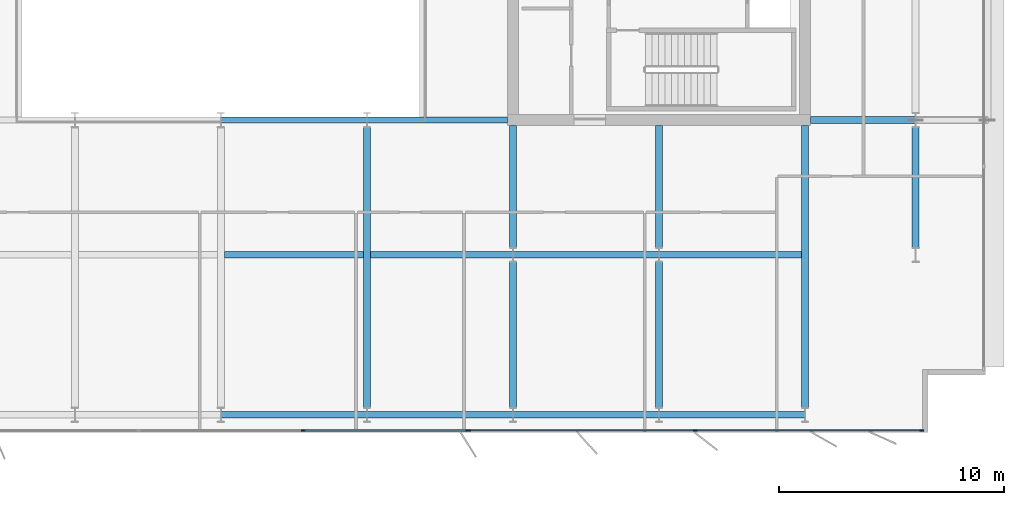
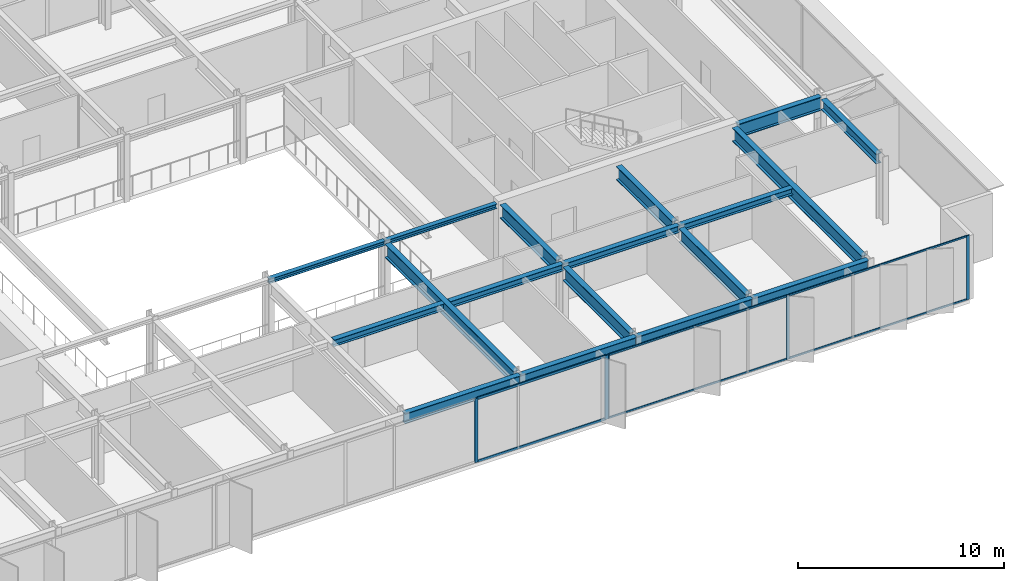
# One storey, part 6 of 20: 18 beams, 11 members, 2 elements without a shape of their own.
"""IFC4 building model written with IfcOpenShell, lengths in metres."""

from ifc_helpers import new_model, si_unit, direction, frame, origin, origin_2d, place, context, subcontext, project, spatial, rectangle, i_section, extrude, material, layer, layer_set, material_profile, profile_set, type_object, element, aggregate, save


model = new_model("IFC4")

# Units and contexts
model_context = context("Model", 3, precision=1e-05, world=origin(), true_north=direction((0.0, 1.0)))
body_context = subcontext(model_context, "Body", "Model", "MODEL_VIEW")
ifc_project = project(units=[si_unit("LENGTHUNIT", "METRE"), si_unit("AREAUNIT", "SQUARE_METRE"), si_unit("VOLUMEUNIT", "CUBIC_METRE"), si_unit("PLANEANGLEUNIT", "RADIAN"), si_unit("MASSUNIT", "GRAM", prefix="KILO")], contexts=[model_context])

# Site, building, storey
site_placement = place(None, origin())
site = spatial("IfcSite", under=ifc_project, at=site_placement, CompositionType="ELEMENT")
building_placement = place(site_placement, origin())
building = spatial("IfcBuilding", under=site, at=building_placement, Name="Putna Gate Headquarters", CompositionType="ELEMENT")
storey_placement = place(building_placement, frame((0.0, 0.0, 286.39990234375)))
storey = spatial("IfcBuildingStorey", under=building, at=storey_placement, Name="L72", CompositionType="ELEMENT", Elevation=286.39990234375)

# Beams
ifc_material_1 = material(Name="Steel S355J2", Category="steel")
ifc_material_profile_1 = material_profile(ifc_material_1, i_section(OverallWidth=0.260009765625, OverallDepth=0.260009765625, WebThickness=0.010009765625, FlangeThickness=0.017578125, at=origin_2d()), Name="Steel S355J2")
ifc_profile_set_1 = profile_set([ifc_material_profile_1], Name="Steel S355J2")
beam_type_1 = type_object("IfcBeamType", Name="BM-ATRIUM-HEB260", PredefinedType="BEAM", material=ifc_profile_set_1)
beam_1_placement = place(storey_placement, frame((39.006103515625, 19.0, 3.658203125), z_axis=(1.0, 0.0, 0.0), x_axis=(0.0, 1.0, 0.0)))
element("IfcBeam", 1, at=beam_1_placement, inside=storey, type_object=beam_type_1, Name="L72 Atrium Edge Beam AS3", PredefinedType="BEAM", context=body_context, shape_type="SweptSolid", body=[
    extrude(i_section(OverallWidth=0.260009765625, OverallDepth=0.260009765625, WebThickness=0.010009765625, FlangeThickness=0.017578125, at=origin_2d()), origin(), (0.0, 0.0, 1.0), 6.48779296875),
])
beam_2_placement = place(storey_placement, frame((45.506103515625, 19.0, 3.658203125), z_axis=(1.0, 0.0, 0.0), x_axis=(0.0, 1.0, 0.0)))
element("IfcBeam", 2, at=beam_2_placement, inside=storey, type_object=beam_type_1, Name="L72 Atrium Edge Beam AS4", PredefinedType="BEAM", context=body_context, shape_type="SweptSolid", body=[
    extrude(i_section(OverallWidth=0.260009765625, OverallDepth=0.260009765625, WebThickness=0.010009765625, FlangeThickness=0.017578125, at=origin_2d()), origin(), (0.0, 0.0, 1.0), 6.2587890625),
])
ifc_material_profile_2 = material_profile(ifc_material_1, i_section(OverallWidth=0.300048828125, OverallDepth=0.800048828125, WebThickness=0.017578125, FlangeThickness=0.032958984375, at=origin_2d()), Name="Steel S355J2")
ifc_profile_set_2 = profile_set([ifc_material_profile_2], Name="Steel S355J2")
beam_type_2 = type_object("IfcBeamType", Name="BM-GIRD-P-HEB800", PredefinedType="USERDEFINED", material=ifc_profile_set_2)
beam_3_placement = place(storey_placement, frame((65.235107421875, 19.0, 3.38818359375), z_axis=(1.0, 0.0, 0.0), x_axis=(0.0, 1.0, 0.0)))
element("IfcBeam", 3, at=beam_3_placement, inside=storey, type_object=beam_type_2, Name="L72 East Wing Girder Y19", ObjectType="GIRDER", PredefinedType="USERDEFINED", context=body_context, shape_type="SweptSolid", body=[
    extrude(i_section(OverallWidth=0.300048828125, OverallDepth=0.800048828125, WebThickness=0.017578125, FlangeThickness=0.032958984375, at=origin_2d()), origin(), (0.0, 0.0, 1.0), 4.678955078125),
])
beam_4_placement = place(storey_placement, frame((45.5, 6.201904296875, 3.38818359375), z_axis=(0.0, 1.0, 0.0), x_axis=(-1.0, 0.0, 0.0)))
element("IfcBeam", 4, at=beam_4_placement, inside=storey, type_object=beam_type_2, Name="L72 South Primary Girder X45", ObjectType="GIRDER", PredefinedType="USERDEFINED", context=body_context, shape_type="SweptSolid", body=[
    extrude(i_section(OverallWidth=0.300048828125, OverallDepth=0.800048828125, WebThickness=0.017578125, FlangeThickness=0.032958984375, at=origin_2d()), origin(), (0.0, 0.0, 1.0), 12.47607421875),
])
beam_5_placement = place(storey_placement, frame((52.0, 6.201904296875, 3.38818359375), z_axis=(0.0, 1.0, 0.0), x_axis=(-1.0, 0.0, 0.0)))
element("IfcBeam", 5, at=beam_5_placement, inside=storey, type_object=beam_type_2, Name="L72 South Primary Girder X52-1", ObjectType="GIRDER", PredefinedType="USERDEFINED", context=body_context, shape_type="SweptSolid", body=[
    extrude(i_section(OverallWidth=0.300048828125, OverallDepth=0.800048828125, WebThickness=0.017578125, FlangeThickness=0.032958984375, at=origin_2d()), origin(), (0.0, 0.0, 1.0), 6.47607421875),
])
beam_6_placement = place(storey_placement, frame((52.0, 13.322021484375, 3.38818359375), z_axis=(0.0, 1.0, 0.0), x_axis=(-1.0, 0.0, 0.0)))
element("IfcBeam", 6, at=beam_6_placement, inside=storey, type_object=beam_type_2, Name="L72 South Primary Girder X52-2", ObjectType="GIRDER", PredefinedType="USERDEFINED", context=body_context, shape_type="SweptSolid", body=[
    extrude(i_section(OverallWidth=0.300048828125, OverallDepth=0.800048828125, WebThickness=0.017578125, FlangeThickness=0.032958984375, at=origin_2d()), origin(), (0.0, 0.0, 1.0), 5.44287109375),
])
beam_7_placement = place(storey_placement, frame((58.5, 6.201904296875, 3.38818359375), z_axis=(0.0, 1.0, 0.0), x_axis=(-1.0, 0.0, 0.0)))
element("IfcBeam", 7, at=beam_7_placement, inside=storey, type_object=beam_type_2, Name="L72 South Primary Girder X58-1", ObjectType="GIRDER", PredefinedType="USERDEFINED", context=body_context, shape_type="SweptSolid", body=[
    extrude(i_section(OverallWidth=0.300048828125, OverallDepth=0.800048828125, WebThickness=0.017578125, FlangeThickness=0.032958984375, at=origin_2d()), origin(), (0.0, 0.0, 1.0), 6.47607421875),
])
beam_8_placement = place(storey_placement, frame((58.5, 13.322021484375, 3.38818359375), z_axis=(0.0, 1.0, 0.0), x_axis=(-1.0, 0.0, 0.0)))
element("IfcBeam", 8, at=beam_8_placement, inside=storey, type_object=beam_type_2, Name="L72 South Primary Girder X58-2", ObjectType="GIRDER", PredefinedType="USERDEFINED", context=body_context, shape_type="SweptSolid", body=[
    extrude(i_section(OverallWidth=0.300048828125, OverallDepth=0.800048828125, WebThickness=0.017578125, FlangeThickness=0.032958984375, at=origin_2d()), origin(), (0.0, 0.0, 1.0), 5.44287109375),
])
beam_9_placement = place(storey_placement, frame((65.0, 6.201904296875, 3.38818359375), z_axis=(0.0, 1.0, 0.0), x_axis=(-1.0, 0.0, 0.0)))
element("IfcBeam", 9, at=beam_9_placement, inside=storey, type_object=beam_type_2, Name="L72 South Primary Girder X65", ObjectType="GIRDER", PredefinedType="USERDEFINED", context=body_context, shape_type="SweptSolid", body=[
    extrude(i_section(OverallWidth=0.300048828125, OverallDepth=0.800048828125, WebThickness=0.017578125, FlangeThickness=0.032958984375, at=origin_2d()), origin(), (0.0, 0.0, 1.0), 12.56298828125),
])
ifc_material_profile_3 = material_profile(ifc_material_1, i_section(OverallWidth=0.300048828125, OverallDepth=0.389892578125, WebThickness=0.010986328125, FlangeThickness=0.01904296875, at=origin_2d()), Name="Steel S355J2")
ifc_profile_set_3 = profile_set([ifc_material_profile_3], Name="Steel S355J2")
beam_type_3 = type_object("IfcBeamType", Name="BM-SEC-Z5-HEA400", PredefinedType="BEAM", material=ifc_profile_set_3)
beam_10_placement = place(storey_placement, frame((39.154052734375, 13.0, 3.593017578125), z_axis=(1.0, 0.0, 0.0), x_axis=(0.0, 1.0, 0.0)))
element("IfcBeam", 10, at=beam_10_placement, inside=storey, type_object=beam_type_3, Name="L72 South Secondary Beam 5", PredefinedType="BEAM", context=body_context, shape_type="SweptSolid", body=[
    extrude(i_section(OverallWidth=0.300048828125, OverallDepth=0.389892578125, WebThickness=0.010986328125, FlangeThickness=0.01904296875, at=origin_2d()), origin(), (0.0, 0.0, 1.0), 6.19189453125),
])
beam_11_placement = place(storey_placement, frame((45.654052734375, 13.0, 3.593017578125), z_axis=(1.0, 0.0, 0.0), x_axis=(0.0, 1.0, 0.0)))
element("IfcBeam", 11, at=beam_11_placement, inside=storey, type_object=beam_type_3, Name="L72 South Secondary Beam 6", PredefinedType="BEAM", context=body_context, shape_type="SweptSolid", body=[
    extrude(i_section(OverallWidth=0.300048828125, OverallDepth=0.389892578125, WebThickness=0.010986328125, FlangeThickness=0.01904296875, at=origin_2d()), origin(), (0.0, 0.0, 1.0), 6.33984375),
])
beam_12_placement = place(storey_placement, frame((52.006103515625, 13.0, 3.593017578125), z_axis=(1.0, 0.0, 0.0), x_axis=(0.0, 1.0, 0.0)))
element("IfcBeam", 12, at=beam_12_placement, inside=storey, type_object=beam_type_3, Name="L72 South Secondary Beam 7", PredefinedType="BEAM", context=body_context, shape_type="SweptSolid", body=[
    extrude(i_section(OverallWidth=0.300048828125, OverallDepth=0.389892578125, WebThickness=0.010986328125, FlangeThickness=0.01904296875, at=origin_2d()), origin(), (0.0, 0.0, 1.0), 6.48779296875),
])
beam_13_placement = place(storey_placement, frame((58.506103515625, 13.0, 3.593017578125), z_axis=(1.0, 0.0, 0.0), x_axis=(0.0, 1.0, 0.0)))
element("IfcBeam", 13, at=beam_13_placement, inside=storey, type_object=beam_type_3, Name="L72 South Secondary Beam 8", PredefinedType="BEAM", context=body_context, shape_type="SweptSolid", body=[
    extrude(i_section(OverallWidth=0.300048828125, OverallDepth=0.389892578125, WebThickness=0.010986328125, FlangeThickness=0.01904296875, at=origin_2d()), origin(), (0.0, 0.0, 1.0), 6.33984375),
])
ifc_material_profile_4 = material_profile(ifc_material_1, i_section(OverallWidth=0.300048828125, OverallDepth=0.590087890625, WebThickness=0.012939453125, FlangeThickness=0.02490234375, at=origin_2d()), Name="Steel S355J2")
ifc_profile_set_4 = profile_set([ifc_material_profile_4], Name="Steel S355J2")
beam_type_4 = type_object("IfcBeamType", Name="BM-SPAN-Z4-HEA600", PredefinedType="SPANDREL", material=ifc_profile_set_4)
for number, where, z_axis, x_axis, name in (
    (14, (39.006103515625, 5.8798828125, 3.4931640625), (1.0, 0.0, 0.0), (0.0, 1.0, 0.0), "L72 S Perimeter Spandrel 5"),
    (15, (45.506103515625, 5.8798828125, 3.4931640625), (1.0, 0.0, 0.0), (0.0, 1.0, 0.0), "L72 S Perimeter Spandrel 6"),
    (16, (52.006103515625, 5.8798828125, 3.4931640625), (1.0, 0.0, 0.0), (0.0, 1.0, 0.0), "L72 S Perimeter Spandrel 7"),
    (17, (58.506103515625, 5.8798828125, 3.4931640625), (1.0, 0.0, 0.0), (0.0, 1.0, 0.0), "L72 S Perimeter Spandrel 8"),
):
    element("IfcBeam", number, at=place(storey_placement, frame(where, z_axis=z_axis, x_axis=x_axis)), inside=storey, type_object=beam_type_4, Name=name, PredefinedType="SPANDREL", context=body_context, shape_type="SweptSolid", body=[
        extrude(i_section(OverallWidth=0.300048828125, OverallDepth=0.590087890625, WebThickness=0.012939453125, FlangeThickness=0.02490234375, at=origin_2d()), origin(), (0.0, 0.0, 1.0), 6.48779296875),
    ])
beam_14_placement = place(storey_placement, frame((69.919921875, 13.322021484375, 3.4931640625), z_axis=(0.0, 1.0, 0.0), x_axis=(-1.0, 0.0, 0.0)))
element("IfcBeam", 18, at=beam_14_placement, inside=storey, type_object=beam_type_4, Name="L72 E End Spandrel 1", PredefinedType="SPANDREL", context=body_context, shape_type="SweptSolid", body=[
    extrude(i_section(OverallWidth=0.300048828125, OverallDepth=0.590087890625, WebThickness=0.012939453125, FlangeThickness=0.02490234375, at=origin_2d()), origin(), (0.0, 0.0, 1.0), 5.35595703125),
])

# Curtain wall, members
ifc_material_2 = material(Name="Anodised bronze aluminium curtain wall", Category="aluminium")
ifc_layer_1 = layer(ifc_material_2, 0.179931640625)
ifc_layer_set_1 = layer_set([ifc_layer_1], Name="Anodised bronze aluminium curtain wall")
curtain_wall_type_1 = type_object("IfcCurtainWallType", Name="CW-SYS-Z5", PredefinedType="USERDEFINED", material=ifc_layer_set_1)
curtain_wall_1_placement = place(storey_placement, origin())
curtain_wall_1 = element("IfcCurtainWall", 19, at=curtain_wall_1_placement, inside=storey, type_object=curtain_wall_type_1, Name="L72 South East Curtain Wall", ObjectType="STICK CURTAIN WALL", PredefinedType="USERDEFINED")
ifc_material_3 = material(Name="Anodised bronze aluminium EN AW-6060", Category="aluminium")
ifc_material_profile_5 = material_profile(ifc_material_3, rectangle(XDim=0.070068359375, YDim=0.179931640625, at=origin_2d()), Name="Anodised bronze aluminium EN AW-6060")
ifc_profile_set_5 = profile_set([ifc_material_profile_5], Name="Anodised bronze aluminium EN AW-6060")
member_type_1 = type_object("IfcMemberType", Name="MULL-CWM-5", PredefinedType="MULLION", material=ifc_profile_set_5)
member_1_placement = place(storey_placement, frame((50.034912109375, 5.179931640625, 0.0), z_axis=(0.0, 0.0, 1.0), x_axis=(0.0, 1.0, 0.0)))
member_1 = element("IfcMember", 20, at=member_1_placement, type_object=member_type_1, Name="CWS-5 mullion 1", PredefinedType="MULLION", context=body_context, shape_type="SweptSolid", body=[
    extrude(rectangle(XDim=0.070068359375, YDim=0.179931640625, at=origin_2d()), origin(), (0.0, 0.0, 1.0), 3.7880859375),
])
member_2_placement = place(storey_placement, frame((60.117431640625, 5.179931640625, 0.0), z_axis=(0.0, 0.0, 1.0), x_axis=(0.0, 1.0, 0.0)))
member_2 = element("IfcMember", 21, at=member_2_placement, type_object=member_type_1, Name="CWS-5 mullion 2", PredefinedType="MULLION", context=body_context, shape_type="SweptSolid", body=[
    extrude(rectangle(XDim=0.070068359375, YDim=0.179931640625, at=origin_2d()), origin(), (0.0, 0.0, 1.0), 3.7880859375),
])
member_3_placement = place(storey_placement, frame((70.2001953125, 5.179931640625, 0.0), z_axis=(0.0, 0.0, 1.0), x_axis=(0.0, 1.0, 0.0)))
member_3 = element("IfcMember", 22, at=member_3_placement, type_object=member_type_1, Name="CWS-5 mullion 3", PredefinedType="MULLION", context=body_context, shape_type="SweptSolid", body=[
    extrude(rectangle(XDim=0.070068359375, YDim=0.179931640625, at=origin_2d()), origin(), (0.0, 0.0, 1.0), 3.7880859375),
])

ifc_layer_2 = layer(ifc_material_2, 0.179931640625)
ifc_layer_set_2 = layer_set([ifc_layer_2], Name="Anodised bronze aluminium curtain wall")
curtain_wall_type_2 = type_object("IfcCurtainWallType", Name="CW-SYS-ATR", PredefinedType="USERDEFINED", material=ifc_layer_set_2)
curtain_wall_2_placement = place(storey_placement, origin())
curtain_wall_2 = element("IfcCurtainWall", 23, at=curtain_wall_2_placement, inside=storey, type_object=curtain_wall_type_2, Name="L72 South Atrium Clear Glazing", ObjectType="ATRIUM GLAZING", PredefinedType="USERDEFINED")
ifc_material_profile_6 = material_profile(ifc_material_3, rectangle(XDim=0.070068359375, YDim=0.179931640625, at=origin_2d()), Name="Anodised bronze aluminium EN AW-6060")
ifc_profile_set_6 = profile_set([ifc_material_profile_6], Name="Anodised bronze aluminium EN AW-6060")
member_type_2 = type_object("IfcMemberType", Name="MULL-CWM-AT", PredefinedType="MULLION", material=ifc_profile_set_6)
member_4_placement = place(storey_placement, frame((42.666748046875, 5.179931640625, 0.0), z_axis=(0.0, 0.0, 1.0), x_axis=(0.0, 1.0, 0.0)))
member_4 = element("IfcMember", 24, at=member_4_placement, type_object=member_type_2, Name="CWS-AT mullion 3", PredefinedType="MULLION", context=body_context, shape_type="SweptSolid", body=[
    extrude(rectangle(XDim=0.070068359375, YDim=0.179931640625, at=origin_2d()), origin(), (0.0, 0.0, 1.0), 3.7880859375),
])
member_5_placement = place(storey_placement, frame((49.965087890625, 5.179931640625, 0.0), z_axis=(0.0, 0.0, 1.0), x_axis=(0.0, 1.0, 0.0)))
member_5 = element("IfcMember", 25, at=member_5_placement, type_object=member_type_2, Name="CWS-AT mullion 4", PredefinedType="MULLION", context=body_context, shape_type="SweptSolid", body=[
    extrude(rectangle(XDim=0.070068359375, YDim=0.179931640625, at=origin_2d()), origin(), (0.0, 0.0, 1.0), 3.7880859375),
])

# Member
ifc_material_profile_7 = material_profile(ifc_material_3, rectangle(XDim=0.06005859375, YDim=0.10009765625, at=origin_2d()), Name="Anodised bronze aluminium EN AW-6060")
ifc_profile_set_7 = profile_set([ifc_material_profile_7], Name="Anodised bronze aluminium EN AW-6060")
member_type_3 = type_object("IfcMemberType", Name="TRAN-CWT-5", PredefinedType="USERDEFINED", material=ifc_profile_set_7)
member_6_placement = place(storey_placement, frame((50.070068359375, 5.179931640625, 0.030029296875), z_axis=(1.0, 0.0, 0.0), x_axis=(0.0, 1.0, 0.0)))
member_6 = element("IfcMember", 26, at=member_6_placement, type_object=member_type_3, Name="CWS-5 transom 1.1", ObjectType="TRANSOM", PredefinedType="USERDEFINED", context=body_context, shape_type="SweptSolid", body=[
    extrude(rectangle(XDim=0.06005859375, YDim=0.10009765625, at=origin_2d()), origin(), (0.0, 0.0, 1.0), 10.012451171875),
])

member_7_placement = place(storey_placement, frame((50.070068359375, 5.179931640625, 3.758056640625), z_axis=(1.0, 0.0, 0.0), x_axis=(0.0, 1.0, 0.0)))
member_7 = element("IfcMember", 27, at=member_7_placement, type_object=member_type_3, Name="CWS-5 transom 1.2", ObjectType="TRANSOM", PredefinedType="USERDEFINED", context=body_context, shape_type="SweptSolid", body=[
    extrude(rectangle(XDim=0.06005859375, YDim=0.10009765625, at=origin_2d()), origin(), (0.0, 0.0, 1.0), 10.012451171875),
])

member_8_placement = place(storey_placement, frame((60.152587890625, 5.179931640625, 0.030029296875), z_axis=(1.0, 0.0, 0.0), x_axis=(0.0, 1.0, 0.0)))
member_8 = element("IfcMember", 28, at=member_8_placement, type_object=member_type_3, Name="CWS-5 transom 2.1", ObjectType="TRANSOM", PredefinedType="USERDEFINED", context=body_context, shape_type="SweptSolid", body=[
    extrude(rectangle(XDim=0.06005859375, YDim=0.10009765625, at=origin_2d()), origin(), (0.0, 0.0, 1.0), 10.012451171875),
])

member_9_placement = place(storey_placement, frame((60.152587890625, 5.179931640625, 3.758056640625), z_axis=(1.0, 0.0, 0.0), x_axis=(0.0, 1.0, 0.0)))
member_9 = element("IfcMember", 29, at=member_9_placement, type_object=member_type_3, Name="CWS-5 transom 2.2", ObjectType="TRANSOM", PredefinedType="USERDEFINED", context=body_context, shape_type="SweptSolid", body=[
    extrude(rectangle(XDim=0.06005859375, YDim=0.10009765625, at=origin_2d()), origin(), (0.0, 0.0, 1.0), 10.012451171875),
])

aggregate(curtain_wall_1, [member_1, member_2, member_3, member_6, member_7, member_8, member_9])

ifc_material_profile_8 = material_profile(ifc_material_3, rectangle(XDim=0.070068359375, YDim=0.139892578125, at=origin_2d()), Name="Anodised bronze aluminium EN AW-6060")
ifc_profile_set_8 = profile_set([ifc_material_profile_8], Name="Anodised bronze aluminium EN AW-6060")
member_type_4 = type_object("IfcMemberType", Name="TRAN-CWT-AT", PredefinedType="USERDEFINED", material=ifc_profile_set_8)
member_10_placement = place(storey_placement, frame((42.70166015625, 5.179931640625, 0.03515625), z_axis=(1.0, 0.0, 0.0), x_axis=(0.0, 1.0, 0.0)))
member_10 = element("IfcMember", 30, at=member_10_placement, type_object=member_type_4, Name="CWS-AT transom 3.1", ObjectType="TRANSOM", PredefinedType="USERDEFINED", context=body_context, shape_type="SweptSolid", body=[
    extrude(rectangle(XDim=0.070068359375, YDim=0.139892578125, at=origin_2d()), origin(), (0.0, 0.0, 1.0), 7.228271484375),
])

member_11_placement = place(storey_placement, frame((42.70166015625, 5.179931640625, 3.753173828125), z_axis=(1.0, 0.0, 0.0), x_axis=(0.0, 1.0, 0.0)))
member_11 = element("IfcMember", 31, at=member_11_placement, type_object=member_type_4, Name="CWS-AT transom 3.2", ObjectType="TRANSOM", PredefinedType="USERDEFINED", context=body_context, shape_type="SweptSolid", body=[
    extrude(rectangle(XDim=0.070068359375, YDim=0.139892578125, at=origin_2d()), origin(), (0.0, 0.0, 1.0), 7.228271484375),
])

aggregate(curtain_wall_2, [member_4, member_5, member_10, member_11])

save(model, "model.ifc")
